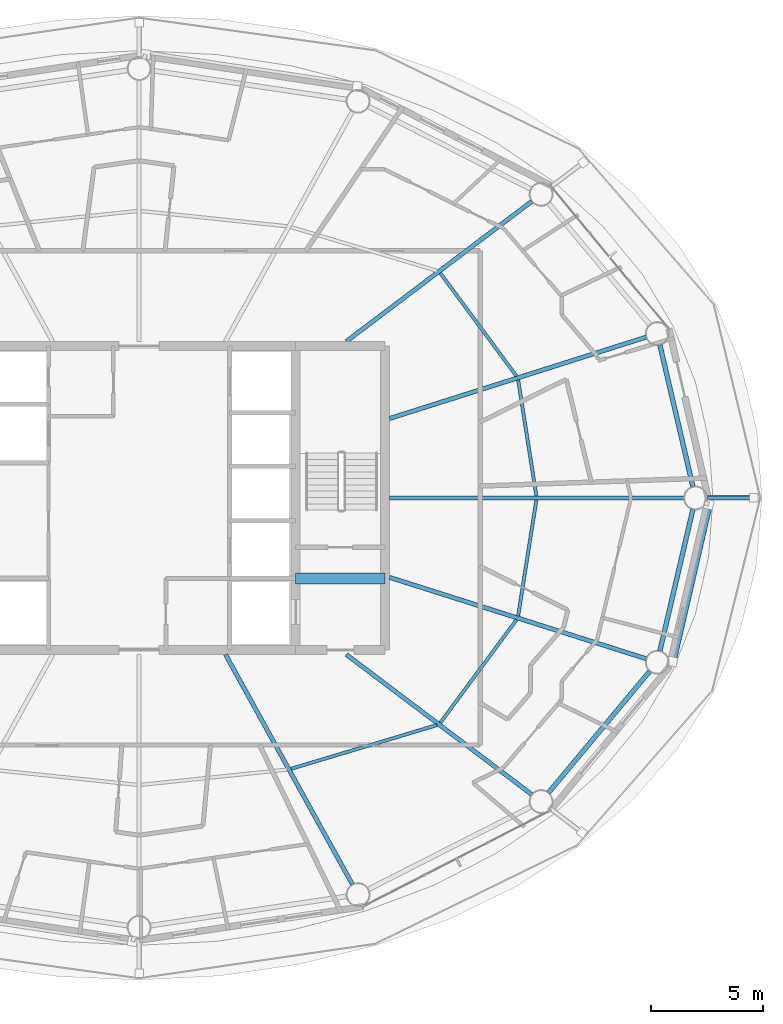
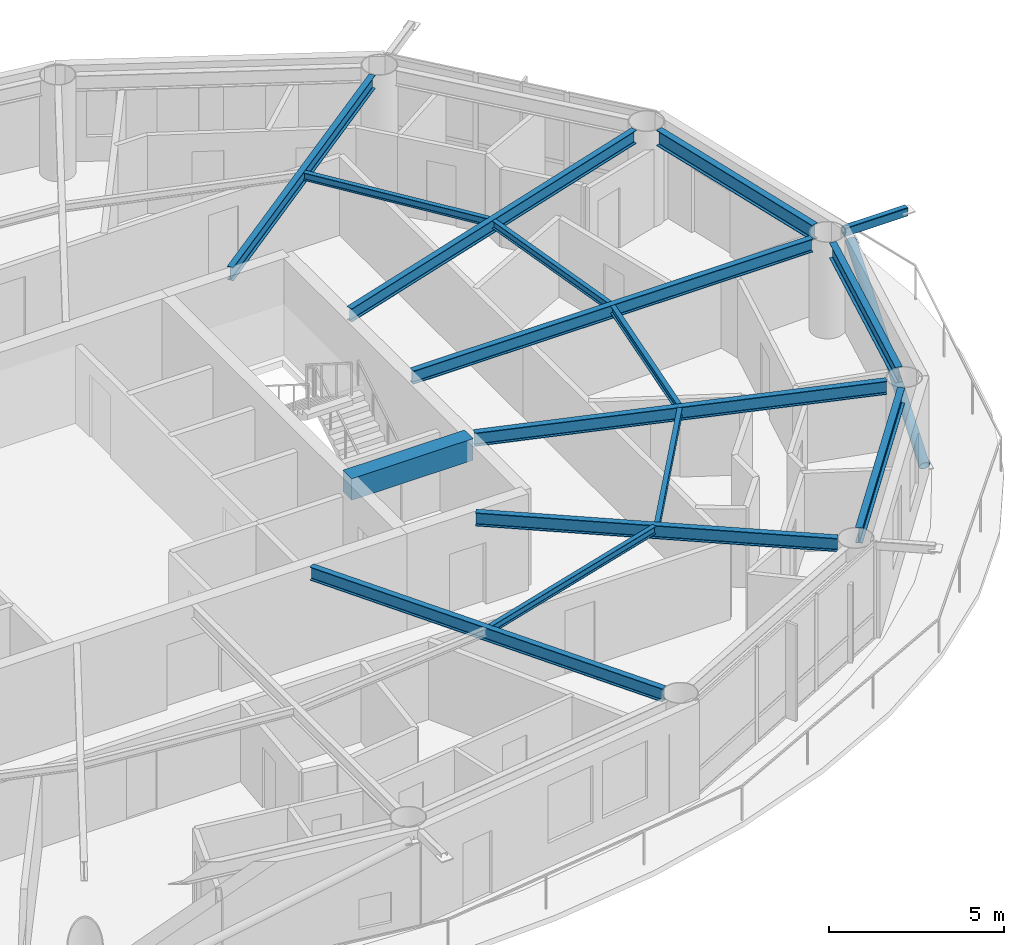
# One storey, part 6 of 23: 15 beams, 2 members.
"""IFC4 building model written with IfcOpenShell, lengths in metres."""

from ifc_helpers import new_model, si_unit, direction, frame, origin, origin_2d, place, context, subcontext, project, spatial, rectangle, hollow_rectangle, hollow_circle, i_section, extrude, material, material_profile, profile_set, type_object, element, save


model = new_model("IFC4")

# Units and contexts
model_context = context("Model", 3, precision=1e-05, world=origin(), true_north=direction((0.0, 1.0)))
body_context = subcontext(model_context, "Body", "Model", "MODEL_VIEW")
ifc_project = project(units=[si_unit("LENGTHUNIT", "METRE"), si_unit("AREAUNIT", "SQUARE_METRE"), si_unit("VOLUMEUNIT", "CUBIC_METRE"), si_unit("PLANEANGLEUNIT", "RADIAN"), si_unit("MASSUNIT", "GRAM", prefix="KILO")], contexts=[model_context])

# Site, building, storey
site_placement = place(None, origin())
site = spatial("IfcSite", under=ifc_project, at=site_placement, CompositionType="ELEMENT")
building_placement = place(site_placement, origin())
building = spatial("IfcBuilding", under=site, at=building_placement, Name="Sarneth Arch Tower", CompositionType="ELEMENT")
storey_placement = place(building_placement, frame((0.0, 0.0, 235.199951171875)))
storey = spatial("IfcBuildingStorey", under=building, at=storey_placement, Name="L60", CompositionType="ELEMENT", Elevation=235.199951171875)

# Beams
ifc_material_1 = material(Name="Steel S355", Category="steel")
ifc_material_profile_1 = material_profile(ifc_material_1, i_section(OverallWidth=0.14794921875, OverallDepth=0.26611328125, WebThickness=0.007568359375, FlangeThickness=0.012939453125, FilletRadius=0.012939453125, at=origin_2d()), Name="W250x44.8")
ifc_profile_set_1 = profile_set([ifc_material_profile_1], Name="Steel S355")
beam_type_1 = type_object("IfcBeamType", Name="BM-JOIST-250", PredefinedType="JOIST", material=ifc_profile_set_1)
beam_1_placement = place(storey_placement, frame((65.76416015625, 42.0947265625, 3.22705078125), z_axis=(-0.155393595615, 0.987852635995, 0.0), x_axis=(-0.987852635995, -0.155393595615, 0.0)))
element("IfcBeam", 1, at=beam_1_placement, inside=storey, type_object=beam_type_1, Name="L60 Secondary floor joist 01", PredefinedType="JOIST", context=body_context, shape_type="SweptSolid", body=[
    extrude(i_section(OverallWidth=0.14794921875, OverallDepth=0.26611328125, WebThickness=0.007568359375, FlangeThickness=0.012939453125, FilletRadius=0.012939453125, at=origin_2d()), origin(), (0.0, 0.0, 1.0), 5.244384765625),
])
beam_2_placement = place(storey_placement, frame((64.877197265625, 47.447509765625, 3.22705078125), z_axis=(-0.594853468946, 0.803834156081, 0.0), x_axis=(-0.803834156081, -0.594853468946, 0.0)))
element("IfcBeam", 2, at=beam_2_placement, inside=storey, type_object=beam_type_1, Name="L60 Secondary floor joist 02", PredefinedType="JOIST", context=body_context, shape_type="SweptSolid", body=[
    extrude(i_section(OverallWidth=0.14794921875, OverallDepth=0.26611328125, WebThickness=0.007568359375, FlangeThickness=0.012939453125, FilletRadius=0.012939453125, at=origin_2d()), origin(), (0.0, 0.0, 1.0), 5.72900390625),
])
beam_3_placement = place(storey_placement, frame((54.79248046875, 29.88818359375, 3.22705078125), z_axis=(0.957984908347, 0.286818610589, 0.0), x_axis=(-0.286818610589, 0.957984908347, 0.0)))
element("IfcBeam", 3, at=beam_3_placement, inside=storey, type_object=beam_type_1, Name="L60 Secondary floor joist 14", PredefinedType="JOIST", context=body_context, shape_type="SweptSolid", body=[
    extrude(i_section(OverallWidth=0.14794921875, OverallDepth=0.26611328125, WebThickness=0.007568359375, FlangeThickness=0.012939453125, FilletRadius=0.012939453125, at=origin_2d()), origin(), (0.0, 0.0, 1.0), 6.81396484375),
])
beam_4_placement = place(storey_placement, frame((61.46923828125, 31.947265625, 3.22705078125), z_axis=(0.594853468946, 0.803834156081, 0.0), x_axis=(-0.803834156081, 0.594853468946, 0.0)))
element("IfcBeam", 4, at=beam_4_placement, inside=storey, type_object=beam_type_1, Name="L60 Secondary floor joist 15", PredefinedType="JOIST", context=body_context, shape_type="SweptSolid", body=[
    extrude(i_section(OverallWidth=0.14794921875, OverallDepth=0.26611328125, WebThickness=0.007568359375, FlangeThickness=0.012939453125, FilletRadius=0.012939453125, at=origin_2d()), origin(), (0.0, 0.0, 1.0), 5.72900390625),
])
beam_5_placement = place(storey_placement, frame((64.94921875, 36.724609375, 3.22705078125), z_axis=(0.155393595615, 0.987852635995, 0.0), x_axis=(-0.987852635995, 0.155393595615, 0.0)))
element("IfcBeam", 5, at=beam_5_placement, inside=storey, type_object=beam_type_1, Name="L60 Secondary floor joist 16", PredefinedType="JOIST", context=body_context, shape_type="SweptSolid", body=[
    extrude(i_section(OverallWidth=0.14794921875, OverallDepth=0.26611328125, WebThickness=0.007568359375, FlangeThickness=0.012939453125, FilletRadius=0.012939453125, at=origin_2d()), origin(), (0.0, 0.0, 1.0), 5.244384765625),
])
ifc_material_2 = material(Name="Concrete C50/60", Category="concrete")
ifc_material_profile_2 = material_profile(ifc_material_2, rectangle(XDim=0.5, YDim=0.75, at=origin_2d()), Name="RC-500x750")
ifc_profile_set_2 = profile_set([ifc_material_profile_2], Name="Concrete C50/60")
beam_type_2 = type_object("IfcBeamType", Name="BM-LINTEL-RC", PredefinedType="LINTEL", material=ifc_profile_set_2)
beam_6_placement = place(storey_placement, frame((55.0, 38.39990234375, 2.985107421875), z_axis=(1.0, 0.0, 0.0), x_axis=(0.0, 1.0, 0.0)))
element("IfcBeam", 6, at=beam_6_placement, inside=storey, type_object=beam_type_2, Name="L60 Core coupling lintel E", PredefinedType="LINTEL", context=body_context, shape_type="SweptSolid", body=[
    extrude(rectangle(XDim=0.5, YDim=0.75, at=origin_2d()), origin(), (0.0, 0.0, 1.0), 4.0),
])
ifc_material_3 = material(Name="Steel S355", Category="steel")
ifc_material_profile_3 = material_profile(ifc_material_3, i_section(OverallWidth=0.19189453125, OverallDepth=0.462890625, WebThickness=0.010498046875, FlangeThickness=0.017578125, FilletRadius=0.01806640625, at=origin_2d()), Name="W460x89")
ifc_profile_set_3 = profile_set([ifc_material_profile_3], Name="Steel S355")
beam_type_3 = type_object("IfcBeamType", Name="BM-RAD-460B", PredefinedType="BEAM", material=ifc_profile_set_3)
beam_7_placement = place(storey_placement, frame((59.199951171875, 42.0, 3.128662109375), z_axis=(1.0, 0.0, 0.0), x_axis=(0.0, 1.0, 0.0)))
element("IfcBeam", 7, at=beam_7_placement, inside=storey, type_object=beam_type_3, Name="L60 Radial floor girder 01", PredefinedType="BEAM", context=body_context, shape_type="SweptSolid", body=[
    extrude(i_section(OverallWidth=0.19189453125, OverallDepth=0.462890625, WebThickness=0.010498046875, FlangeThickness=0.017578125, FilletRadius=0.01806640625, at=origin_2d()), origin(), (0.0, 0.0, 1.0), 13.158203125),
])
beam_8_placement = place(storey_placement, frame((59.199951171875, 45.5517578125, 3.128662109375), z_axis=(0.953216092177, 0.302289731243, 0.0), x_axis=(-0.302289731243, 0.953216092177, 0.0)))
element("IfcBeam", 8, at=beam_8_placement, inside=storey, type_object=beam_type_3, Name="L60 Radial floor girder 02", PredefinedType="BEAM", context=body_context, shape_type="SweptSolid", body=[
    extrude(i_section(OverallWidth=0.19189453125, OverallDepth=0.462890625, WebThickness=0.010498046875, FlangeThickness=0.017578125, FilletRadius=0.01806640625, at=origin_2d()), origin(), (0.0, 0.0, 1.0), 12.031494140625),
])
beam_9_placement = place(storey_placement, frame((57.26806640625, 49.0, 3.128662109375), z_axis=(0.79797308069, 0.60269309146, 0.0), x_axis=(-0.60269309146, 0.79797308069, 0.0)))
element("IfcBeam", 9, at=beam_9_placement, inside=storey, type_object=beam_type_3, Name="L60 Radial floor girder 03", PredefinedType="BEAM", context=body_context, shape_type="SweptSolid", body=[
    extrude(i_section(OverallWidth=0.19189453125, OverallDepth=0.462890625, WebThickness=0.010498046875, FlangeThickness=0.017578125, FilletRadius=0.01806640625, at=origin_2d()), origin(), (0.0, 0.0, 1.0), 10.38671875),
])
beam_10_placement = place(storey_placement, frame((51.86376953125, 35.0, 3.128662109375), z_axis=(0.483225760768, -0.875495781903, 0.0), x_axis=(0.875495781903, 0.483225760768, 0.0)))
element("IfcBeam", 10, at=beam_10_placement, inside=storey, type_object=beam_type_3, Name="L60 Radial floor girder 14", PredefinedType="BEAM", context=body_context, shape_type="SweptSolid", body=[
    extrude(i_section(OverallWidth=0.19189453125, OverallDepth=0.462890625, WebThickness=0.010498046875, FlangeThickness=0.017578125, FilletRadius=0.01806640625, at=origin_2d()), origin(), (0.0, 0.0, 1.0), 11.740478515625),
])
beam_11_placement = place(storey_placement, frame((57.26806640625, 35.0, 3.128662109375), z_axis=(0.79797308069, -0.60269309146, 0.0), x_axis=(0.60269309146, 0.79797308069, 0.0)))
element("IfcBeam", 11, at=beam_11_placement, inside=storey, type_object=beam_type_3, Name="L60 Radial floor girder 15", PredefinedType="BEAM", context=body_context, shape_type="SweptSolid", body=[
    extrude(i_section(OverallWidth=0.19189453125, OverallDepth=0.462890625, WebThickness=0.010498046875, FlangeThickness=0.017578125, FilletRadius=0.01806640625, at=origin_2d()), origin(), (0.0, 0.0, 1.0), 10.38671875),
])
beam_12_placement = place(storey_placement, frame((59.199951171875, 38.4482421875, 3.128662109375), z_axis=(0.953216092177, -0.302289731243, 0.0), x_axis=(0.302289731243, 0.953216092177, 0.0)))
element("IfcBeam", 12, at=beam_12_placement, inside=storey, type_object=beam_type_3, Name="L60 Radial floor girder 16", PredefinedType="BEAM", context=body_context, shape_type="SweptSolid", body=[
    extrude(i_section(OverallWidth=0.19189453125, OverallDepth=0.462890625, WebThickness=0.010498046875, FlangeThickness=0.017578125, FilletRadius=0.01806640625, at=origin_2d()), origin(), (0.0, 0.0, 1.0), 12.031494140625),
])
ifc_material_4 = material(Name="Steel S355", Category="steel")
ifc_material_profile_4 = material_profile(ifc_material_4, i_section(OverallWidth=0.2109375, OverallDepth=0.5390625, WebThickness=0.01171875, FlangeThickness=0.018798828125, FilletRadius=0.01806640625, at=origin_2d()), Name="W530x109")
ifc_profile_set_4 = profile_set([ifc_material_profile_4], Name="Steel S355")
beam_type_4 = type_object("IfcBeamType", Name="BM-RAD-530B", PredefinedType="BEAM", material=ifc_profile_set_4)
beam_13_placement = place(storey_placement, frame((72.763916015625, 42.51123046875, 3.090576171875), z_axis=(-0.227230803906, 0.973840932471, 0.0), x_axis=(-0.973840932471, -0.227230803906, 0.0)))
element("IfcBeam", 13, at=beam_13_placement, inside=storey, type_object=beam_type_4, Name="L60 Perimeter spandrel beam 01", PredefinedType="BEAM", context=body_context, shape_type="SweptSolid", body=[
    extrude(i_section(OverallWidth=0.2109375, OverallDepth=0.5390625, WebThickness=0.01171875, FlangeThickness=0.018798828125, FilletRadius=0.01806640625, at=origin_2d()), origin(), (0.0, 0.0, 1.0), 6.494873046875),
])
beam_14_placement = place(storey_placement, frame((66.3115234375, 28.82666015625, 3.090576171875), z_axis=(0.640364654985, 0.76807103099, 0.0), x_axis=(-0.76807103099, 0.640364654985, 0.0)))
element("IfcBeam", 14, at=beam_14_placement, inside=storey, type_object=beam_type_4, Name="L60 Perimeter spandrel beam 15", PredefinedType="BEAM", context=body_context, shape_type="SweptSolid", body=[
    extrude(i_section(OverallWidth=0.2109375, OverallDepth=0.5390625, WebThickness=0.01171875, FlangeThickness=0.018798828125, FilletRadius=0.01806640625, at=origin_2d()), origin(), (0.0, 0.0, 1.0), 7.06005859375),
])
beam_15_placement = place(storey_placement, frame((71.2880859375, 35.163818359375, 3.090576171875), z_axis=(0.227230803906, 0.973840932471, 0.0), x_axis=(-0.973840932471, 0.227230803906, 0.0)))
element("IfcBeam", 15, at=beam_15_placement, inside=storey, type_object=beam_type_4, Name="L60 Perimeter spandrel beam 16", PredefinedType="BEAM", context=body_context, shape_type="SweptSolid", body=[
    extrude(i_section(OverallWidth=0.2109375, OverallDepth=0.5390625, WebThickness=0.01171875, FlangeThickness=0.018798828125, FilletRadius=0.01806640625, at=origin_2d()), origin(), (0.0, 0.0, 1.0), 6.494873046875),
])

# Members
ifc_material_5 = material(Name="Steel S355", Category="steel")
ifc_material_profile_5 = material_profile(ifc_material_5, hollow_rectangle(XDim=0.199951171875, YDim=0.300048828125, WallThickness=0.012451171875, InnerFilletRadius=0.018798828125, OuterFilletRadius=0.03125, at=origin_2d()), Name="RHS300x200x12.5")
ifc_profile_set_5 = profile_set([ifc_material_profile_5], Name="Steel S355")
member_type_1 = type_object("IfcMemberType", Name="MEM-CANT-STRUT", PredefinedType="STRUT", material=ifc_profile_set_5)
member_1_placement = place(storey_placement, frame((73.408203125, 42.0, 3.199951171875), z_axis=(1.0, 0.0, 0.0), x_axis=(0.0, 1.0, 0.0)))
element("IfcMember", 16, at=member_1_placement, inside=storey, type_object=member_type_1, Name="L60 Balcony cantilever bracket 01", PredefinedType="STRUT", context=body_context, shape_type="SweptSolid", body=[
    extrude(hollow_rectangle(XDim=0.199951171875, YDim=0.300048828125, WallThickness=0.012451171875, InnerFilletRadius=0.018798828125, OuterFilletRadius=0.03125, at=origin_2d()), origin(), (0.0, 0.0, 1.0), 2.072265625),
])
ifc_material_6 = material(Name="Steel S355", Category="steel")
ifc_material_profile_6 = material_profile(ifc_material_6, hollow_circle(Radius=0.162109375, WallThickness=0.012451171875, at=origin_2d()), Name="CHS324x12.5")
ifc_profile_set_6 = profile_set([ifc_material_profile_6], Name="Steel S355")
member_type_2 = type_object("IfcMemberType", Name="MEM-DIAG-BR3", PredefinedType="BRACE", material=ifc_profile_set_6)
member_2_placement = place(storey_placement, frame((71.851806640625, 34.6845703125, 0.02001953125), z_axis=(0.207917989892, 0.898749333617, 0.386030756289), x_axis=(-0.974268900284, 0.225388797281, 0.0)))
element("IfcMember", 17, at=member_2_placement, inside=storey, type_object=member_type_2, Name="L60 Perimeter frame diagonal 16", PredefinedType="BRACE", context=body_context, shape_type="SweptSolid", body=[
    extrude(hollow_circle(Radius=0.162109375, WallThickness=0.012451171875, at=origin_2d()), origin(), (0.0, 0.0, 1.0), 7.814453125),
])

save(model, "model.ifc")
